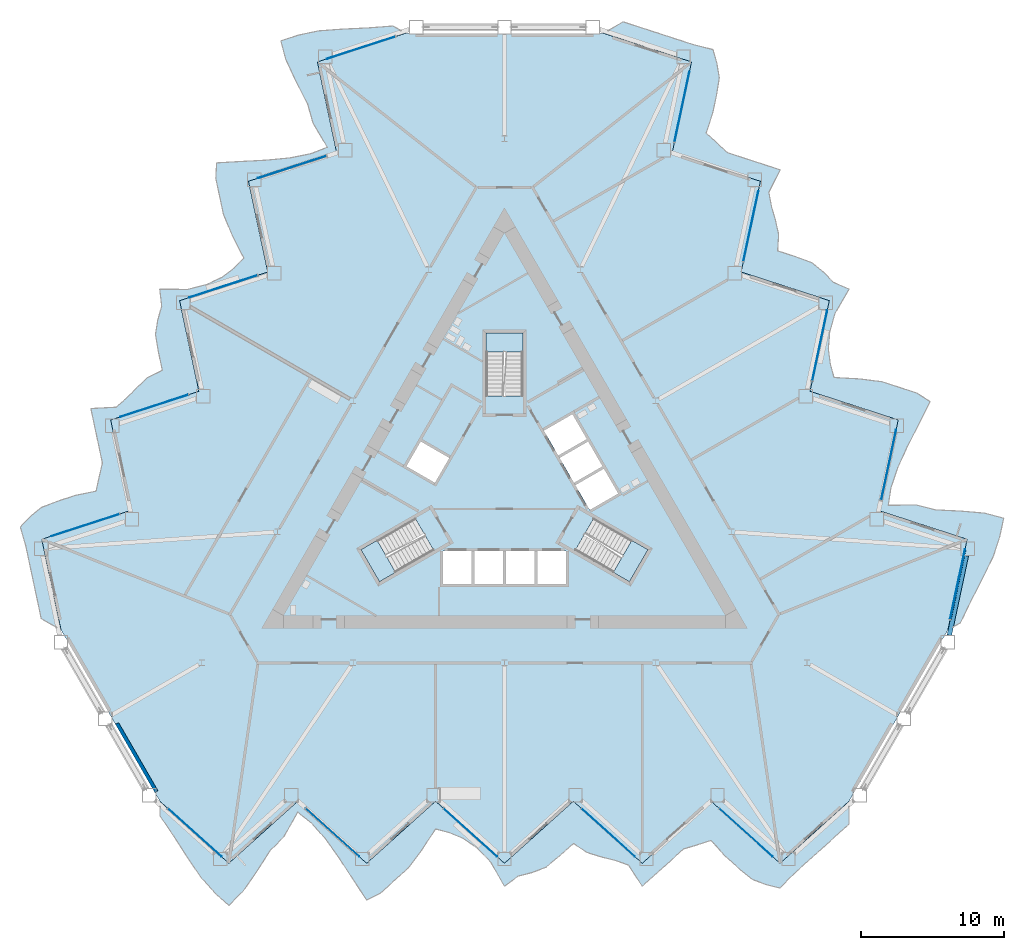
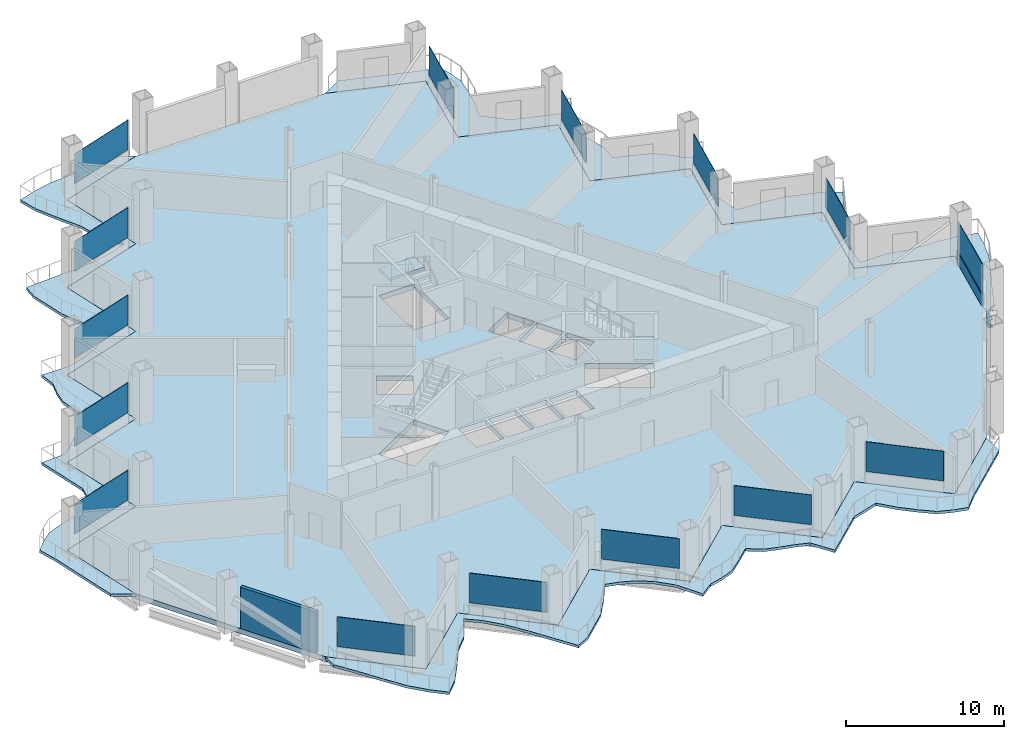
# One storey, part 8 of 20: 15 plates, 7 slabs, 1 beam, 1 member, 1 wall, 18 elements without a shape of their own.
"""IFC4 building model written with IfcOpenShell, lengths in metres."""

from ifc_helpers import new_model, si_unit, direction, frame, frame_2d, origin, origin_2d, place, context, subcontext, project, spatial, polyline, rectangle, i_section, outline, extrude, material, layer, layer_set, material_profile, profile_set, type_object, element, aggregate, save


model = new_model("IFC4")

# Units and contexts
model_context = context("Model", 3, precision=1e-05, world=origin(), true_north=direction((0.0, 1.0)))
body_context = subcontext(model_context, "Body", "Model", "MODEL_VIEW")
ifc_project = project(units=[si_unit("LENGTHUNIT", "METRE"), si_unit("AREAUNIT", "SQUARE_METRE"), si_unit("VOLUMEUNIT", "CUBIC_METRE"), si_unit("PLANEANGLEUNIT", "RADIAN"), si_unit("MASSUNIT", "GRAM", prefix="KILO")], contexts=[model_context])

# Site, building, storey
site_placement = place(None, origin())
site = spatial("IfcSite", under=ifc_project, at=site_placement, CompositionType="ELEMENT")
building_placement = place(site_placement, origin())
building = spatial("IfcBuilding", under=site, at=building_placement, Name="Cormorant Prow Tower", CompositionType="ELEMENT")
storey_placement = place(building_placement, frame((0.0, 0.0, 38.39990234375)))
storey = spatial("IfcBuildingStorey", under=building, at=storey_placement, Name="L07", CompositionType="ELEMENT", Elevation=38.39990234375)

# Curtain wall, member
ifc_material_1 = material(Name="Aluminium 6063-T6", Category="aluminium")
ifc_layer_1 = layer(ifc_material_1, 0.199951171875)
ifc_layer_set_1 = layer_set([ifc_layer_1], Name="Aluminium 6063-T6")
curtain_wall_type = type_object("IfcCurtainWallType", Name="Office unitised curtain wall 200", PredefinedType="NOTDEFINED", material=ifc_layer_set_1)
curtain_wall_1_placement = place(storey_placement, origin())
curtain_wall_1 = element("IfcCurtainWall", 1, at=curtain_wall_1_placement, inside=storey, type_object=curtain_wall_type, Name="Office curtain wall ENE00", PredefinedType="NOTDEFINED")
ifc_material_2 = material(Name="Terracotta", Category="masonry")
ifc_material_profile_1 = material_profile(ifc_material_2, rectangle(XDim=0.159912109375, YDim=0.89990234375, at=origin_2d()), Name="Office terracotta spandrel rail 160x900")
ifc_profile_set_1 = profile_set([ifc_material_profile_1], Name="Terracotta")
member_type = type_object("IfcMemberType", Name="Office terracotta spandrel rail 160x900", PredefinedType="USERDEFINED", material=ifc_profile_set_1)
member_placement = place(storey_placement, frame((31.15869140625, -9.169921875, 0.4501953125), z_axis=(0.20790357337, 0.978149326115, 0.0), x_axis=(-0.978149326115, 0.20790357337, 0.0)))
member = element("IfcMember", 2, at=member_placement, type_object=member_type, Name="Office spandrel rail ENE00", ObjectType="TRANSOM", PredefinedType="USERDEFINED", context=body_context, shape_type="SweptSolid", body=[
    extrude(rectangle(XDim=0.159912109375, YDim=0.89990234375, at=origin_2d()), origin(), (0.0, 0.0, 1.0), 5.0166015625),
])

# Beam
ifc_material_3 = material(Name="Structural steel ASTM A992 Gr 50", Category="steel")
ifc_material_profile_2 = material_profile(ifc_material_3, i_section(OverallWidth=0.32373046875, OverallDepth=0.611083984375, WebThickness=0.0126953125, FlangeThickness=0.01904296875, at=origin_2d()), Name="W24x104")
ifc_profile_set_2 = profile_set([ifc_material_profile_2], Name="Structural steel ASTM A992 Gr 50")
beam_type = type_object("IfcBeamType", Name="Spandrel beam W24x104", PredefinedType="SPANDREL", material=ifc_profile_set_2)
beam_placement = place(storey_placement, frame((31.10400390625, -10.28466796875, -0.70556640625), z_axis=(0.207900376723, 0.97815000555, 0.0), x_axis=(-0.97815000555, 0.207900376723, 0.0)))
element("IfcBeam", 3, at=beam_placement, inside=storey, type_object=beam_type, Name="Spandrel beam SB1 ENE00-ENE01 L07", PredefinedType="SPANDREL", context=body_context, shape_type="SweptSolid", body=[
    extrude(i_section(OverallWidth=0.32373046875, OverallDepth=0.611083984375, WebThickness=0.0126953125, FlangeThickness=0.01904296875, at=origin_2d()), origin(), (0.0, 0.0, 1.0), 5.6826171875),
])

# Slabs
ifc_material_4 = material(Name="Concrete C40/50", Category="concrete")
ifc_layer_2 = layer(ifc_material_4, 0.199951171875)
ifc_layer_set_2 = layer_set([ifc_layer_2], Name="Concrete C40/50")
slab_type_1 = type_object("IfcSlabType", Name="Balcony slab 200", PredefinedType="FLOOR", material=ifc_layer_set_2)
slab_1_placement = place(storey_placement, frame((0.0, 0.0, -0.199951171875)))
element("IfcSlab", 4, at=slab_1_placement, inside=storey, type_object=slab_type_1, Name="Balcony slab S L07", PredefinedType="FLOOR", context=body_context, shape_type="SweptSolid", body=[
    extrude(outline(polyline([(-24.087890625, -21.888671875), (-24.087890625, -22.90478515625), (-23.124267578125, -24.315185546875), (-22.16064453125, -25.812255859375), (-21.197265625, -27.236083984375), (-20.233642578125, -28.308837890625), (-19.270263671875, -29.17626953125), (-18.306640625, -28.2158203125), (-17.34326171875, -26.835205078125), (-16.379638671875, -25.341552734375), (-15.416259765625, -24.356201171875), (-14.45263671875, -22.640380859375), (-13.4892578125, -23.412841796875), (-12.525634765625, -24.50048828125), (-11.56201171875, -25.847900390625), (-10.5986328125, -27.3330078125), (-9.635009765625, -28.799560546875), (-8.671630859375, -28.308837890625), (-7.7080078125, -27.441162109375), (-6.74462890625, -26.57373046875), (-5.781005859375, -25.294921875), (-4.817626953125, -23.82275390625), (-3.85400390625, -24.076904296875), (-2.890625, -24.47802734375), (-1.927001953125, -25.144287109375), (-0.963623046875, -26.127197265625), (0.0, -27.826416015625), (0.963623046875, -27.11669921875), (1.927001953125, -26.87255859375), (2.890625, -26.50634765625), (3.85400390625, -25.706298828125), (4.817626953125, -24.838623046875), (5.781005859375, -25.470703125), (6.74462890625, -25.77294921875), (7.7080078125, -26.01171875), (8.671630859375, -26.346923828125), (9.635009765625, -27.826416015625), (10.5986328125, -26.958740234375), (11.56201171875, -26.09130859375), (12.525634765625, -25.2236328125), (13.4892578125, -24.93115234375), (14.45263671875, -24.623046875), (15.416259765625, -25.706298828125), (16.379638671875, -26.57373046875), (17.34326171875, -27.357177734375), (18.306640625, -27.715576171875), (19.270263671875, -27.9580078125), (20.233642578125, -26.958740234375), (21.197265625, -26.09130859375), (22.16064453125, -25.2236328125), (23.124267578125, -24.356201171875), (24.087890625, -23.488525390625), (24.087890625, -21.888671875), (23.124267578125, -22.756103515625), (22.16064453125, -23.623779296875), (21.197265625, -24.4912109375), (20.233642578125, -25.35888671875), (19.270263671875, -26.226318359375), (18.306640625, -25.35888671875), (17.34326171875, -24.4912109375), (16.379638671875, -23.623779296875), (15.416259765625, -22.756103515625), (14.45263671875, -21.888671875), (13.4892578125, -22.756103515625), (12.525634765625, -23.623779296875), (11.56201171875, -24.4912109375), (10.5986328125, -25.35888671875), (9.635009765625, -26.226318359375), (8.671630859375, -25.35888671875), (7.7080078125, -24.4912109375), (6.74462890625, -23.623779296875), (5.781005859375, -22.756103515625), (4.817626953125, -21.888671875), (3.85400390625, -22.756103515625), (2.890625, -23.623779296875), (1.927001953125, -24.4912109375), (0.963623046875, -25.35888671875), (0.0, -26.226318359375), (-0.963623046875, -25.35888671875), (-1.927001953125, -24.4912109375), (-2.890625, -23.623779296875), (-3.85400390625, -22.756103515625), (-4.817626953125, -21.888671875), (-5.781005859375, -22.756103515625), (-6.74462890625, -23.623779296875), (-7.7080078125, -24.4912109375), (-8.671630859375, -25.35888671875), (-9.635009765625, -26.226318359375), (-10.5986328125, -25.35888671875), (-11.56201171875, -24.4912109375), (-12.525634765625, -23.623779296875), (-13.4892578125, -22.756103515625), (-14.45263671875, -21.888671875), (-15.416259765625, -22.756103515625), (-16.379638671875, -23.623779296875), (-17.34326171875, -24.4912109375), (-18.306640625, -25.35888671875), (-19.270263671875, -26.226318359375), (-20.233642578125, -25.35888671875), (-21.197265625, -24.4912109375), (-22.16064453125, -23.623779296875), (-23.124267578125, -22.756103515625), (-24.087890625, -21.888671875)])), origin(), (0.0, 0.0, 1.0), 0.199951171875),
])
slab_2_placement = place(storey_placement, frame((0.0, 0.0, -0.199951171875)))
element("IfcSlab", 5, at=slab_2_placement, inside=storey, type_object=slab_type_1, Name="Balcony slab ENE L07", PredefinedType="FLOOR", context=body_context, shape_type="SweptSolid", body=[
    extrude(outline(polyline([(31.0, -9.916259765625), (31.8798828125, -9.408203125), (32.61962890625, -7.86865234375), (33.434326171875, -6.28564453125), (34.185791015625, -4.7392578125), (34.633056640625, -3.368408203125), (34.902587890625, -2.100341796875), (33.589111328125, -1.74609375), (31.911376953125, -1.60205078125), (30.136474609375, -1.514404296875), (28.80126953125, -1.172607421875), (26.83349609375, -1.1962890625), (27.020751953125, 0.0244140625), (27.48095703125, 1.40283203125), (28.166015625, 2.910888671875), (28.970458984375, 4.48779296875), (29.758544921875, 6.055419921875), (28.85205078125, 6.64453125), (27.618896484375, 7.045166015625), (26.3857421875, 7.44580078125), (24.796630859375, 7.640869140625), (23.039794921875, 7.7392578125), (22.778076171875, 8.70068359375), (22.643798828125, 9.735595703125), (22.7392578125, 10.9033203125), (23.1083984375, 12.229248046875), (24.098388671875, 13.9130859375), (23.001953125, 14.392822265625), (22.308837890625, 15.105224609375), (21.509765625, 15.75634765625), (20.335205078125, 16.190673828125), (19.10205078125, 16.591552734375), (19.167724609375, 17.741943359375), (18.94775390625, 18.727294921875), (18.6728515625, 19.681396484375), (18.481201171875, 20.683349609375), (19.28076171875, 22.25732421875), (18.047607421875, 22.658203125), (16.814697265625, 23.058837890625), (15.58154296875, 23.45947265625), (14.846435546875, 24.1474609375), (14.097900390625, 24.827880859375), (14.55419921875, 26.203857421875), (14.82373046875, 27.47216796875), (15.0205078125, 28.6982421875), (14.84912109375, 29.7119140625), (14.577392578125, 30.66748046875), (13.230224609375, 31.00244140625), (11.9970703125, 31.403076171875), (10.763916015625, 31.8037109375), (9.531005859375, 32.204345703125), (8.2978515625, 32.60498046875), (6.912109375, 31.804931640625), (8.145263671875, 31.404296875), (9.37841796875, 31.003662109375), (10.611572265625, 30.60302734375), (11.844482421875, 30.202392578125), (13.07763671875, 29.8017578125), (12.80810546875, 28.533447265625), (12.53857421875, 27.265380859375), (12.268798828125, 25.9970703125), (11.999267578125, 24.72900390625), (11.729736328125, 23.460693359375), (12.962890625, 23.06005859375), (14.196044921875, 22.659423828125), (15.428955078125, 22.2587890625), (16.662109375, 21.858154296875), (17.895263671875, 21.45751953125), (17.62548828125, 20.189208984375), (17.35595703125, 18.921142578125), (17.08642578125, 17.65283203125), (16.81689453125, 16.384521484375), (16.54736328125, 15.116455078125), (17.780517578125, 14.7158203125), (19.013427734375, 14.315185546875), (20.24658203125, 13.91455078125), (21.479736328125, 13.513916015625), (22.712646484375, 13.11328125), (22.443115234375, 11.844970703125), (22.173583984375, 10.576904296875), (21.904052734375, 9.30859375), (21.634521484375, 8.040283203125), (21.364990234375, 6.772216796875), (22.597900390625, 6.37158203125), (23.8310546875, 5.970947265625), (25.064208984375, 5.5703125), (26.297119140625, 5.169677734375), (27.5302734375, 4.76904296875), (27.2607421875, 3.500732421875), (26.9912109375, 2.232421875), (26.7216796875, 0.96435546875), (26.451904296875, -0.303955078125), (26.182373046875, -1.572021484375), (27.41552734375, -1.97265625), (28.648681640625, -2.373291015625), (29.881591796875, -2.77392578125), (31.11474609375, -3.174560546875), (32.347900390625, -3.5751953125), (32.078369140625, -4.843505859375), (31.80859375, -6.11181640625), (31.5390625, -7.3798828125), (31.26953125, -8.648193359375), (31.0, -9.916259765625)])), origin(), (0.0, 0.0, 1.0), 0.199951171875),
])
slab_3_placement = place(storey_placement, frame((0.0, 0.0, -0.199951171875)))
element("IfcSlab", 6, at=slab_3_placement, inside=storey, type_object=slab_type_1, Name="Balcony slab WNW L07", PredefinedType="FLOOR", context=body_context, shape_type="SweptSolid", body=[
    extrude(outline(polyline([(-6.912109375, 31.804931640625), (-7.792236328125, 32.31298828125), (-9.49560546875, 32.183837890625), (-11.273681640625, 32.097900390625), (-12.988525390625, 31.975341796875), (-14.3994140625, 31.67724609375), (-15.63232421875, 31.276611328125), (-15.282470703125, 29.962158203125), (-14.568359375, 28.437255859375), (-13.756591796875, 26.85595703125), (-13.385009765625, 25.52880859375), (-12.380859375, 23.836669921875), (-13.531494140625, 23.388427734375), (-14.955322265625, 23.097900390625), (-16.60400390625, 22.93701171875), (-18.371826171875, 22.84521484375), (-20.12353515625, 22.743896484375), (-20.180419921875, 21.664306640625), (-19.910888671875, 20.39599609375), (-19.641357421875, 19.1279296875), (-19.015625, 17.654052734375), (-18.22216796875, 16.08349609375), (-18.924072265625, 15.376220703125), (-19.753173828125, 14.7421875), (-20.812255859375, 14.240966796875), (-22.14501953125, 13.89794921875), (-24.098388671875, 13.9130859375), (-23.965576171875, 12.723876953125), (-24.23583984375, 11.767333984375), (-24.400390625, 10.749755859375), (-24.189208984375, 9.515380859375), (-23.919677734375, 8.247314453125), (-24.948974609375, 7.728759765625), (-25.692138671875, 7.04541015625), (-26.380859375, 6.33056640625), (-27.15283203125, 5.66357421875), (-28.916015625, 5.56884765625), (-28.646240234375, 4.30078125), (-28.376708984375, 3.032470703125), (-28.107177734375, 1.764404296875), (-28.33544921875, 0.78369140625), (-28.550537109375, -0.204833984375), (-29.97021484375, -0.497802734375), (-31.203369140625, -0.8984375), (-32.36376953125, -1.341064453125), (-33.15576171875, -1.996337890625), (-33.847412109375, -2.70947265625), (-33.4638671875, -4.04345703125), (-33.1943359375, -5.311767578125), (-32.9248046875, -6.579833984375), (-32.6552734375, -7.84814453125), (-32.3857421875, -9.1162109375), (-31.0, -9.916259765625), (-31.26953125, -8.648193359375), (-31.5390625, -7.3798828125), (-31.80859375, -6.11181640625), (-32.078369140625, -4.843505859375), (-32.347900390625, -3.5751953125), (-31.11474609375, -3.174560546875), (-29.881591796875, -2.77392578125), (-28.648681640625, -2.373291015625), (-27.41552734375, -1.97265625), (-26.182373046875, -1.572021484375), (-26.451904296875, -0.303955078125), (-26.7216796875, 0.96435546875), (-26.9912109375, 2.232421875), (-27.2607421875, 3.500732421875), (-27.5302734375, 4.76904296875), (-26.297119140625, 5.169677734375), (-25.064208984375, 5.5703125), (-23.8310546875, 5.970947265625), (-22.597900390625, 6.37158203125), (-21.364990234375, 6.772216796875), (-21.634521484375, 8.040283203125), (-21.904052734375, 9.30859375), (-22.173583984375, 10.576904296875), (-22.443115234375, 11.844970703125), (-22.712646484375, 13.11328125), (-21.479736328125, 13.513916015625), (-20.24658203125, 13.91455078125), (-19.013427734375, 14.315185546875), (-17.780517578125, 14.7158203125), (-16.54736328125, 15.116455078125), (-16.81689453125, 16.384521484375), (-17.08642578125, 17.65283203125), (-17.35595703125, 18.921142578125), (-17.62548828125, 20.189208984375), (-17.895263671875, 21.45751953125), (-16.662109375, 21.858154296875), (-15.428955078125, 22.2587890625), (-14.196044921875, 22.659423828125), (-12.962890625, 23.06005859375), (-11.729736328125, 23.460693359375), (-11.999267578125, 24.72900390625), (-12.268798828125, 25.9970703125), (-12.53857421875, 27.265380859375), (-12.80810546875, 28.533447265625), (-13.07763671875, 29.8017578125), (-11.844482421875, 30.202392578125), (-10.611572265625, 30.60302734375), (-9.37841796875, 31.003662109375), (-8.145263671875, 31.404296875), (-6.912109375, 31.804931640625)])), origin(), (0.0, 0.0, 1.0), 0.199951171875),
])

# Curtain wall, plate
curtain_wall_2_placement = place(storey_placement, origin())
curtain_wall_2 = element("IfcCurtainWall", 7, at=curtain_wall_2_placement, inside=storey, type_object=curtain_wall_type, Name="Office curtain wall S00", PredefinedType="NOTDEFINED")
ifc_material_5 = material(Name="Clear glass", Category="glass")
ifc_layer_3 = layer(ifc_material_5, 0.031982421875)
ifc_layer_set_3 = layer_set([ifc_layer_3], Name="Clear glass")
plate_type = type_object("IfcPlateType", Name="Office glass panel 32", PredefinedType="CURTAIN_PANEL", material=ifc_layer_set_3)
plate_1_placement = place(storey_placement, frame((-21.65673828125, -24.07763671875, 0.89990234375), z_axis=(0.0, 0.0, 1.0), x_axis=(0.743144833547, -0.669130597396, 0.0)))
plate_1 = element("IfcPlate", 8, at=plate_1_placement, type_object=plate_type, Name="Office glass panel S00", PredefinedType="CURTAIN_PANEL", context=body_context, shape_type="SweptSolid", body=[
    extrude(rectangle(XDim=5.0166015625, YDim=0.031982421875, at=origin_2d()), origin(), (0.0, 0.0, 1.0), 2.288818359375),
])
aggregate(curtain_wall_2, [plate_1])

curtain_wall_3_placement = place(storey_placement, origin())
curtain_wall_3 = element("IfcCurtainWall", 9, at=curtain_wall_3_placement, inside=storey, type_object=curtain_wall_type, Name="Office curtain wall S02", PredefinedType="NOTDEFINED")
plate_2_placement = place(storey_placement, frame((-12.021484375, -24.07763671875, 0.89990234375), z_axis=(0.0, 0.0, 1.0), x_axis=(0.743144902614, -0.66913052069, 0.0)))
plate_2 = element("IfcPlate", 10, at=plate_2_placement, type_object=plate_type, Name="Office glass panel S02", PredefinedType="CURTAIN_PANEL", context=body_context, shape_type="SweptSolid", body=[
    extrude(rectangle(XDim=5.0166015625, YDim=0.031982421875, at=origin_2d()), origin(), (0.0, 0.0, 1.0), 2.288818359375),
])
aggregate(curtain_wall_3, [plate_2])

curtain_wall_4_placement = place(storey_placement, origin())
curtain_wall_4 = element("IfcCurtainWall", 11, at=curtain_wall_4_placement, inside=storey, type_object=curtain_wall_type, Name="Office curtain wall S04", PredefinedType="NOTDEFINED")
plate_3_placement = place(storey_placement, frame((-2.386474609375, -24.07763671875, 0.89990234375), z_axis=(0.0, 0.0, 1.0), x_axis=(0.743144833547, -0.669130597396, 0.0)))
plate_3 = element("IfcPlate", 12, at=plate_3_placement, type_object=plate_type, Name="Office glass panel S04", PredefinedType="CURTAIN_PANEL", context=body_context, shape_type="SweptSolid", body=[
    extrude(rectangle(XDim=5.0166015625, YDim=0.031982421875, at=origin_2d()), origin(), (0.0, 0.0, 1.0), 2.288818359375),
])
aggregate(curtain_wall_4, [plate_3])

curtain_wall_5_placement = place(storey_placement, origin())
curtain_wall_5 = element("IfcCurtainWall", 13, at=curtain_wall_5_placement, inside=storey, type_object=curtain_wall_type, Name="Office curtain wall S06", PredefinedType="NOTDEFINED")
plate_4_placement = place(storey_placement, frame((7.24853515625, -24.07763671875, 0.89990234375), z_axis=(0.0, 0.0, 1.0), x_axis=(0.743144833547, -0.669130597396, 0.0)))
plate_4 = element("IfcPlate", 14, at=plate_4_placement, type_object=plate_type, Name="Office glass panel S06", PredefinedType="CURTAIN_PANEL", context=body_context, shape_type="SweptSolid", body=[
    extrude(rectangle(XDim=5.0166015625, YDim=0.031982421875, at=origin_2d()), origin(), (0.0, 0.0, 1.0), 2.288818359375),
])
aggregate(curtain_wall_5, [plate_4])

curtain_wall_6_placement = place(storey_placement, origin())
curtain_wall_6 = element("IfcCurtainWall", 15, at=curtain_wall_6_placement, inside=storey, type_object=curtain_wall_type, Name="Office curtain wall S08", PredefinedType="NOTDEFINED")
plate_5_placement = place(storey_placement, frame((16.8837890625, -24.07763671875, 0.89990234375), z_axis=(0.0, 0.0, 1.0), x_axis=(0.743144833547, -0.669130597396, 0.0)))
plate_5 = element("IfcPlate", 16, at=plate_5_placement, type_object=plate_type, Name="Office glass panel S08", PredefinedType="CURTAIN_PANEL", context=body_context, shape_type="SweptSolid", body=[
    extrude(rectangle(XDim=5.0166015625, YDim=0.031982421875, at=origin_2d()), origin(), (0.0, 0.0, 1.0), 2.288818359375),
])
aggregate(curtain_wall_6, [plate_5])

# Plate
plate_6_placement = place(storey_placement, frame((31.68017578125, -6.716552734375, 0.89990234375), z_axis=(0.0, 0.0, 1.0), x_axis=(0.207911761683, 0.978147585671, 0.0)))
plate_6 = element("IfcPlate", 17, at=plate_6_placement, type_object=plate_type, Name="Office glass panel ENE00", PredefinedType="CURTAIN_PANEL", context=body_context, shape_type="SweptSolid", body=[
    extrude(rectangle(XDim=5.0166015625, YDim=0.031982421875, at=origin_2d()), origin(), (0.0, 0.0, 1.0), 2.288818359375),
])

aggregate(curtain_wall_1, [member, plate_6])

# Curtain wall, plate
curtain_wall_7_placement = place(storey_placement, origin())
curtain_wall_7 = element("IfcCurtainWall", 18, at=curtain_wall_7_placement, inside=storey, type_object=curtain_wall_type, Name="Office curtain wall ENE02", PredefinedType="NOTDEFINED")
plate_7_placement = place(storey_placement, frame((26.862548828125, 1.627685546875, 0.89990234375), z_axis=(0.0, 0.0, 1.0), x_axis=(0.207911614097, 0.978147617041, 0.0)))
plate_7 = element("IfcPlate", 19, at=plate_7_placement, type_object=plate_type, Name="Office glass panel ENE02", PredefinedType="CURTAIN_PANEL", context=body_context, shape_type="SweptSolid", body=[
    extrude(rectangle(XDim=5.0166015625, YDim=0.031982421875, at=origin_2d()), origin(), (0.0, 0.0, 1.0), 2.288818359375),
])
aggregate(curtain_wall_7, [plate_7])

curtain_wall_8_placement = place(storey_placement, origin())
curtain_wall_8 = element("IfcCurtainWall", 20, at=curtain_wall_8_placement, inside=storey, type_object=curtain_wall_type, Name="Office curtain wall ENE04", PredefinedType="NOTDEFINED")
plate_8_placement = place(storey_placement, frame((22.044921875, 9.971923828125, 0.89990234375), z_axis=(0.0, 0.0, 1.0), x_axis=(0.207911614097, 0.978147617041, 0.0)))
plate_8 = element("IfcPlate", 21, at=plate_8_placement, type_object=plate_type, Name="Office glass panel ENE04", PredefinedType="CURTAIN_PANEL", context=body_context, shape_type="SweptSolid", body=[
    extrude(rectangle(XDim=5.0166015625, YDim=0.031982421875, at=origin_2d()), origin(), (0.0, 0.0, 1.0), 2.288818359375),
])
aggregate(curtain_wall_8, [plate_8])

curtain_wall_9_placement = place(storey_placement, origin())
curtain_wall_9 = element("IfcCurtainWall", 22, at=curtain_wall_9_placement, inside=storey, type_object=curtain_wall_type, Name="Office curtain wall ENE06", PredefinedType="NOTDEFINED")
plate_9_placement = place(storey_placement, frame((17.2275390625, 18.31640625, 0.89990234375), z_axis=(0.0, 0.0, 1.0), x_axis=(0.207911761683, 0.978147585671, 0.0)))
plate_9 = element("IfcPlate", 23, at=plate_9_placement, type_object=plate_type, Name="Office glass panel ENE06", PredefinedType="CURTAIN_PANEL", context=body_context, shape_type="SweptSolid", body=[
    extrude(rectangle(XDim=5.0166015625, YDim=0.031982421875, at=origin_2d()), origin(), (0.0, 0.0, 1.0), 2.288818359375),
])
aggregate(curtain_wall_9, [plate_9])

curtain_wall_10_placement = place(storey_placement, origin())
curtain_wall_10 = element("IfcCurtainWall", 24, at=curtain_wall_10_placement, inside=storey, type_object=curtain_wall_type, Name="Office curtain wall ENE08", PredefinedType="NOTDEFINED")
plate_10_placement = place(storey_placement, frame((12.409912109375, 26.66064453125, 0.89990234375), z_axis=(0.0, 0.0, 1.0), x_axis=(0.207911761683, 0.978147585671, 0.0)))
plate_10 = element("IfcPlate", 25, at=plate_10_placement, type_object=plate_type, Name="Office glass panel ENE08", PredefinedType="CURTAIN_PANEL", context=body_context, shape_type="SweptSolid", body=[
    extrude(rectangle(XDim=5.0166015625, YDim=0.031982421875, at=origin_2d()), origin(), (0.0, 0.0, 1.0), 2.288818359375),
])
aggregate(curtain_wall_10, [plate_10])

curtain_wall_11_placement = place(storey_placement, origin())
curtain_wall_11 = element("IfcCurtainWall", 26, at=curtain_wall_11_placement, inside=storey, type_object=curtain_wall_type, Name="Office curtain wall WNW00", PredefinedType="NOTDEFINED")
plate_11_placement = place(storey_placement, frame((-10.0234375, 30.7939453125, 0.89990234375), z_axis=(0.0, 0.0, 1.0), x_axis=(-0.951056551303, -0.30901688663, 0.0)))
plate_11 = element("IfcPlate", 27, at=plate_11_placement, type_object=plate_type, Name="Office glass panel WNW00", PredefinedType="CURTAIN_PANEL", context=body_context, shape_type="SweptSolid", body=[
    extrude(rectangle(XDim=5.0166015625, YDim=0.031982421875, at=origin_2d()), origin(), (0.0, 0.0, 1.0), 2.288818359375),
])
aggregate(curtain_wall_11, [plate_11])

curtain_wall_12_placement = place(storey_placement, origin())
curtain_wall_12 = element("IfcCurtainWall", 28, at=curtain_wall_12_placement, inside=storey, type_object=curtain_wall_type, Name="Office curtain wall WNW02", PredefinedType="NOTDEFINED")
plate_12_placement = place(storey_placement, frame((-14.841064453125, 22.44970703125, 0.89990234375), z_axis=(0.0, 0.0, 1.0), x_axis=(-0.951056505967, -0.309017026162, 0.0)))
plate_12 = element("IfcPlate", 29, at=plate_12_placement, type_object=plate_type, Name="Office glass panel WNW02", PredefinedType="CURTAIN_PANEL", context=body_context, shape_type="SweptSolid", body=[
    extrude(rectangle(XDim=5.0166015625, YDim=0.031982421875, at=origin_2d()), origin(), (0.0, 0.0, 1.0), 2.288818359375),
])
aggregate(curtain_wall_12, [plate_12])

curtain_wall_13_placement = place(storey_placement, origin())
curtain_wall_13 = element("IfcCurtainWall", 30, at=curtain_wall_13_placement, inside=storey, type_object=curtain_wall_type, Name="Office curtain wall WNW04", PredefinedType="NOTDEFINED")
plate_13_placement = place(storey_placement, frame((-19.658447265625, 14.10546875, 0.89990234375), z_axis=(0.0, 0.0, 1.0), x_axis=(-0.951056505967, -0.309017026162, 0.0)))
plate_13 = element("IfcPlate", 31, at=plate_13_placement, type_object=plate_type, Name="Office glass panel WNW04", PredefinedType="CURTAIN_PANEL", context=body_context, shape_type="SweptSolid", body=[
    extrude(rectangle(XDim=5.0166015625, YDim=0.031982421875, at=origin_2d()), origin(), (0.0, 0.0, 1.0), 2.288818359375),
])
aggregate(curtain_wall_13, [plate_13])

curtain_wall_14_placement = place(storey_placement, origin())
curtain_wall_14 = element("IfcCurtainWall", 32, at=curtain_wall_14_placement, inside=storey, type_object=curtain_wall_type, Name="Office curtain wall WNW06", PredefinedType="NOTDEFINED")
plate_14_placement = place(storey_placement, frame((-24.47607421875, 5.76123046875, 0.89990234375), z_axis=(0.0, 0.0, 1.0), x_axis=(-0.951056536569, -0.309016931979, 0.0)))
plate_14 = element("IfcPlate", 33, at=plate_14_placement, type_object=plate_type, Name="Office glass panel WNW06", PredefinedType="CURTAIN_PANEL", context=body_context, shape_type="SweptSolid", body=[
    extrude(rectangle(XDim=5.0166015625, YDim=0.031982421875, at=origin_2d()), origin(), (0.0, 0.0, 1.0), 2.288818359375),
])
aggregate(curtain_wall_14, [plate_14])

curtain_wall_15_placement = place(storey_placement, origin())
curtain_wall_15 = element("IfcCurtainWall", 34, at=curtain_wall_15_placement, inside=storey, type_object=curtain_wall_type, Name="Office curtain wall WNW08", PredefinedType="NOTDEFINED")
plate_15_placement = place(storey_placement, frame((-29.293701171875, -2.5830078125, 0.89990234375), z_axis=(0.0, 0.0, 1.0), x_axis=(-0.951056505967, -0.309017026162, 0.0)))
plate_15 = element("IfcPlate", 35, at=plate_15_placement, type_object=plate_type, Name="Office glass panel WNW08", PredefinedType="CURTAIN_PANEL", context=body_context, shape_type="SweptSolid", body=[
    extrude(rectangle(XDim=5.0166015625, YDim=0.031982421875, at=origin_2d()), origin(), (0.0, 0.0, 1.0), 2.288818359375),
])
aggregate(curtain_wall_15, [plate_15])

# Slab
ifc_material_6 = material(Name="Concrete C40/50", Category="concrete")
ifc_layer_4 = layer(ifc_material_6, 0.39990234375)
ifc_layer_set_4 = layer_set([ifc_layer_4], Name="Concrete C40/50")
slab_type_2 = type_object("IfcSlabType", Name="Post-tensioned flat slab 400", PredefinedType="FLOOR", material=ifc_layer_set_4)
slab_4_placement = place(storey_placement, frame((0.0, 0.0, -0.39990234375)))
element("IfcSlab", 36, at=slab_4_placement, inside=storey, type_object=slab_type_2, Name="Floor slab L07", PredefinedType="FLOOR", context=body_context, shape_type="SweptSolid", body=[
    extrude(outline(polyline([(-13.07763671875, 29.8017578125), (-11.729736328125, 23.460693359375), (-17.895263671875, 21.45751953125), (-16.54736328125, 15.116455078125), (-22.712646484375, 13.11328125), (-21.364990234375, 6.772216796875), (-27.5302734375, 4.76904296875), (-26.182373046875, -1.572021484375), (-32.347900390625, -3.5751953125), (-31.0, -9.916259765625), (-27.5439453125, -15.902587890625), (-24.087890625, -21.888671875), (-19.270263671875, -26.226318359375), (-14.45263671875, -21.888671875), (-9.635009765625, -26.226318359375), (-4.817626953125, -21.888671875), (0.0, -26.226318359375), (4.817626953125, -21.888671875), (9.635009765625, -26.226318359375), (14.45263671875, -21.888671875), (19.270263671875, -26.226318359375), (24.087890625, -21.888671875), (27.5439453125, -15.902587890625), (31.0, -9.916259765625), (32.347900390625, -3.5751953125), (26.182373046875, -1.572021484375), (27.5302734375, 4.76904296875), (21.364990234375, 6.772216796875), (22.712646484375, 13.11328125), (16.54736328125, 15.116455078125), (17.895263671875, 21.45751953125), (11.729736328125, 23.460693359375), (13.07763671875, 29.8017578125), (6.912109375, 31.804931640625), (0.0, 31.804931640625), (-6.912109375, 31.804931640625), (-13.07763671875, 29.8017578125)]), holes=[polyline([(-4.300048828125, -6.699951171875), (-4.300048828125, -4.39990234375), (-2.300048828125, -4.39990234375), (-2.300048828125, -6.699951171875), (-4.300048828125, -6.699951171875)]), polyline([(-2.10009765625, -4.39990234375), (-0.10009765625, -4.39990234375), (-0.10009765625, -6.699951171875), (-2.10009765625, -6.699951171875), (-2.10009765625, -4.39990234375)]), polyline([(2.10009765625, -4.39990234375), (2.10009765625, -6.699951171875), (0.10009765625, -6.699951171875), (0.10009765625, -4.39990234375), (2.10009765625, -4.39990234375)]), polyline([(4.300048828125, -6.699951171875), (2.300048828125, -6.699951171875), (2.300048828125, -4.39990234375), (4.300048828125, -4.39990234375), (4.300048828125, -6.699951171875)]), polyline([(7.952392578125, -0.373779296875), (5.96044921875, -1.52392578125), (4.96044921875, 0.2080078125), (6.952392578125, 1.358154296875), (7.952392578125, -0.373779296875)]), polyline([(4.860595703125, 0.38134765625), (3.860595703125, 2.11328125), (5.852294921875, 3.263427734375), (6.852294921875, 1.53125), (4.860595703125, 0.38134765625)]), polyline([(2.760498046875, 4.018798828125), (4.75244140625, 5.168701171875), (5.75244140625, 3.4365234375), (3.760498046875, 2.28662109375), (2.760498046875, 4.018798828125)]), polyline([(-6.852294921875, 1.53125), (-5.852294921875, 3.263427734375), (-3.860595703125, 2.11328125), (-4.860595703125, 0.38134765625), (-6.852294921875, 1.53125)]), polyline([(-4.947509765625, -4.3505859375), (-8.738037109375, -6.5390625), (-10.031982421875, -4.2978515625), (-6.241455078125, -2.109375), (-4.947509765625, -4.3505859375)]), polyline([(10.031982421875, -4.2978515625), (8.738037109375, -6.5390625), (4.947509765625, -4.3505859375), (6.241455078125, -2.109375), (10.031982421875, -4.2978515625)]), polyline([(1.2939453125, 10.8369140625), (1.2939453125, 6.459716796875), (-1.2939453125, 6.459716796875), (-1.2939453125, 10.8369140625), (1.2939453125, 10.8369140625)])]), origin(), (0.0, 0.0, 1.0), 0.39990234375),
])

# Stair, slab
ifc_material_7 = material(Name="Exit stair 24 risers")
stair_type = type_object("IfcStairType", Name="Exit stair 24 risers", PredefinedType="HALF_TURN_STAIR", material=ifc_material_7)
stair_1_placement = place(storey_placement, origin())
stair_1 = element("IfcStair", 37, at=stair_1_placement, inside=storey, type_object=stair_type, Name="L07 Exit stair ST1", PredefinedType="HALF_TURN_STAIR")
ifc_material_8 = material(Name="Concrete 5000 psi", Category="concrete")
ifc_layer_5 = layer(ifc_material_8, 0.199951171875)
ifc_layer_set_5 = layer_set([ifc_layer_5], Name="Concrete 5000 psi")
slab_type_3 = type_object("IfcSlabType", Name="Stair landing 200", PredefinedType="LANDING", material=ifc_layer_set_5)
slab_5_placement = place(storey_placement, frame((0.0, 0.0, 1.900146484375)))
slab_5 = element("IfcSlab", 38, at=slab_5_placement, type_object=slab_type_3, Name="ST1 landing 1", PredefinedType="LANDING", context=body_context, shape_type="SweptSolid", body=[
    extrude(outline(polyline([(-8.90185546875, -3.645263671875), (-10.031982421875, -4.2978515625), (-8.738037109375, -6.5390625), (-7.60791015625, -5.886474609375), (-8.90185546875, -3.645263671875)])), origin(), (0.0, 0.0, 1.0), 0.199951171875),
])
aggregate(stair_1, [slab_5])

stair_2_placement = place(storey_placement, origin())
stair_2 = element("IfcStair", 39, at=stair_2_placement, inside=storey, type_object=stair_type, Name="L07 Exit stair ST2", PredefinedType="HALF_TURN_STAIR")
slab_6_placement = place(storey_placement, frame((0.0, 0.0, 1.900146484375)))
slab_6 = element("IfcSlab", 40, at=slab_6_placement, type_object=slab_type_3, Name="ST2 landing 1", PredefinedType="LANDING", context=body_context, shape_type="SweptSolid", body=[
    extrude(outline(polyline([(7.60791015625, -5.886474609375), (8.738037109375, -6.5390625), (10.031982421875, -4.2978515625), (8.90185546875, -3.645263671875), (7.60791015625, -5.886474609375)])), origin(), (0.0, 0.0, 1.0), 0.199951171875),
])
aggregate(stair_2, [slab_6])

stair_3_placement = place(storey_placement, origin())
stair_3 = element("IfcStair", 41, at=stair_3_placement, inside=storey, type_object=stair_type, Name="L07 Exit stair ST3", PredefinedType="HALF_TURN_STAIR")
slab_7_placement = place(storey_placement, frame((0.0, 0.0, 1.900146484375)))
slab_7 = element("IfcSlab", 42, at=slab_7_placement, type_object=slab_type_3, Name="ST3 landing 1", PredefinedType="LANDING", context=body_context, shape_type="SweptSolid", body=[
    extrude(outline(polyline([(1.2939453125, 9.53173828125), (1.2939453125, 10.8369140625), (-1.2939453125, 10.8369140625), (-1.2939453125, 9.53173828125), (1.2939453125, 9.53173828125)])), origin(), (0.0, 0.0, 1.0), 0.199951171875),
])
aggregate(stair_3, [slab_7])

# Wall
ifc_material_9 = material(Name="Terracotta", Category="masonry")
ifc_layer_6 = layer(ifc_material_9, 0.25)
ifc_layer_set_6 = layer_set([ifc_layer_6], Name="Terracotta")
wall_type = type_object("IfcWallType", Name="Terracotta bay wall 250", PredefinedType="SOLIDWALL", material=ifc_layer_set_6)
wall_placement = place(storey_placement, frame((-27.084228515625, -16.44873046875, 0.0), z_axis=(0.0, 0.0, 1.0), x_axis=(0.500006469283, -0.86602166871, 0.0)))
element("IfcWall", 43, at=wall_placement, inside=storey, type_object=wall_type, Name="Terracotta bay wall WSW01", PredefinedType="SOLIDWALL", context=body_context, shape_type="SweptSolid", body=[
    extrude(rectangle(XDim=5.50634765625, YDim=0.25, at=frame_2d((2.753173828125, 0.0))), origin(), (0.0, 0.0, 1.0), 3.18896484375),
])

save(model, "model.ifc")
